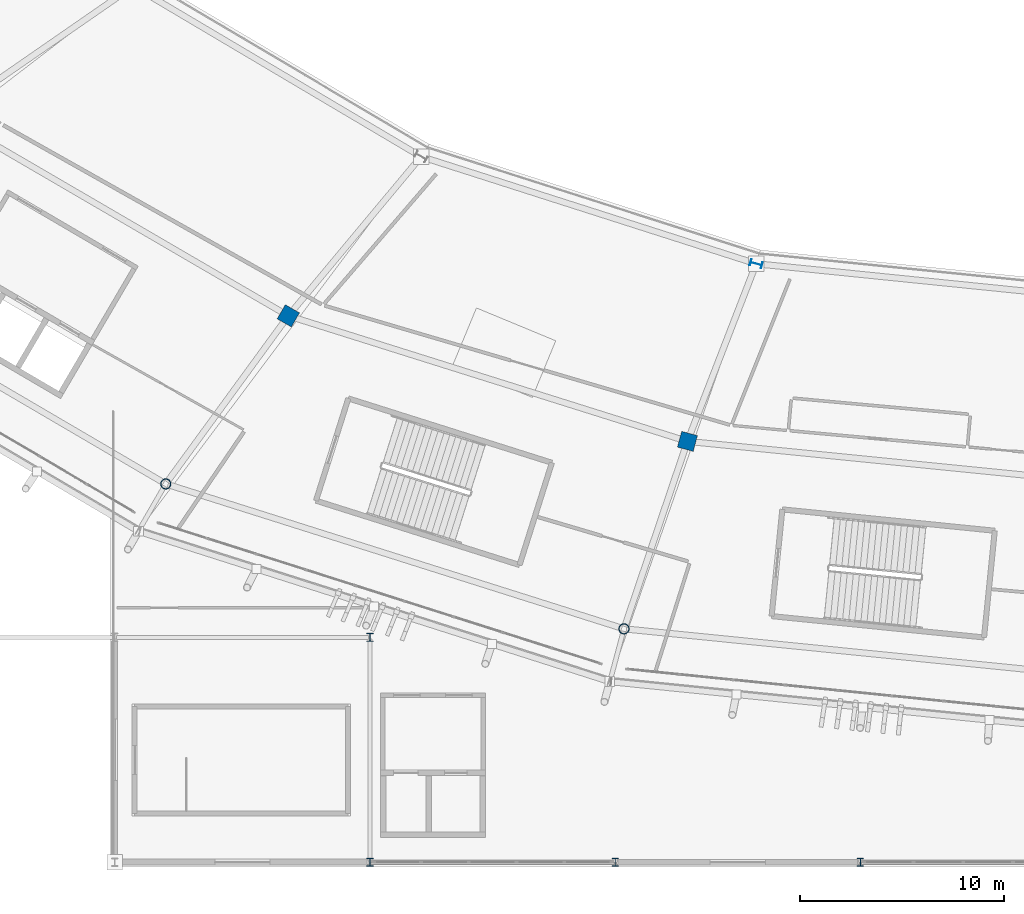
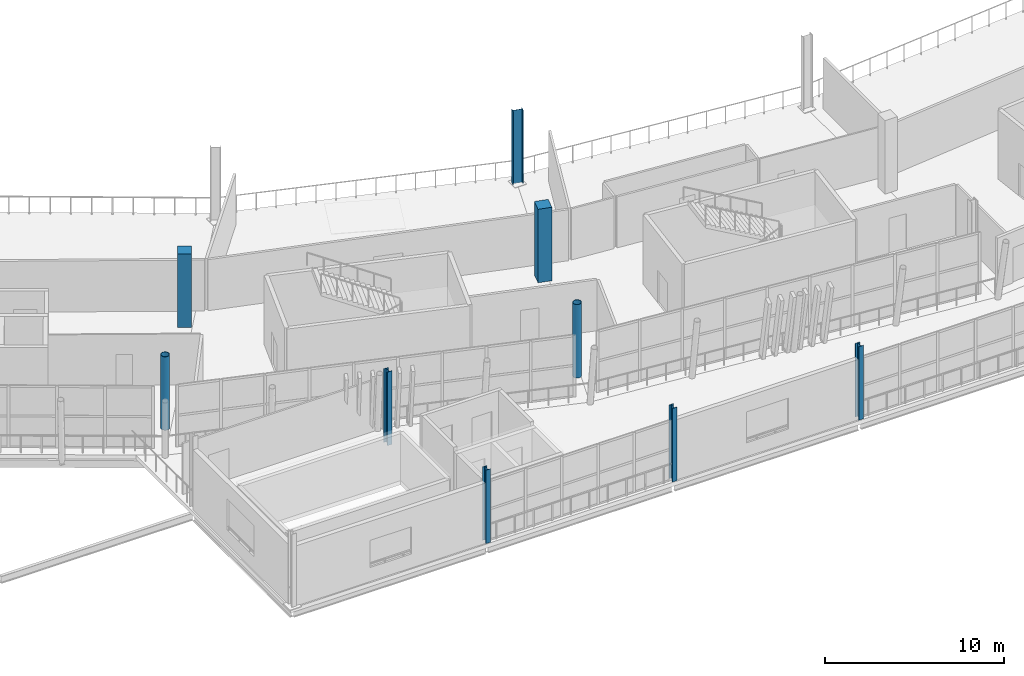
# One storey, part 4 of 179: 9 columns.
"""IFC4 building model written with IfcOpenShell, lengths in metres."""

from ifc_helpers import new_model, si_unit, direction, frame, origin, origin_2d, place, context, subcontext, project, spatial, rectangle, hollow_circle, i_section, extrude, material, material_profile, profile_set, type_object, element, save


model = new_model("IFC4")

# Units and contexts
model_context = context("Model", 3, precision=1e-05, world=origin(), true_north=direction((0.0, 1.0)))
body_context = subcontext(model_context, "Body", "Model", "MODEL_VIEW")
ifc_project = project(units=[si_unit("LENGTHUNIT", "METRE"), si_unit("AREAUNIT", "SQUARE_METRE"), si_unit("VOLUMEUNIT", "CUBIC_METRE"), si_unit("PLANEANGLEUNIT", "RADIAN"), si_unit("MASSUNIT", "GRAM", prefix="KILO")], contexts=[model_context])

# Site, building, storey
site_placement = place(None, origin())
site = spatial("IfcSite", under=ifc_project, at=site_placement, CompositionType="ELEMENT")
building_placement = place(site_placement, origin())
building = spatial("IfcBuilding", under=site, at=building_placement, Name="Zlatoyarsky Gate Stadium", CompositionType="ELEMENT")
storey_placement = place(building_placement, frame((0.0, 0.0, 10.60009765625)))
storey = spatial("IfcBuildingStorey", under=building, at=storey_placement, Name="L02", CompositionType="ELEMENT", Elevation=10.60009765625)

# Columns
ifc_material_1 = material(Name="Concrete C40/50", Category="concrete")
ifc_material_profile_1 = material_profile(ifc_material_1, rectangle(XDim=0.800048828125, YDim=0.800048828125, at=origin_2d()), Name="RC COL 800X800")
ifc_profile_set_1 = profile_set([ifc_material_profile_1], Name="Concrete C40/50")
column_type_1 = type_object("IfcColumnType", Name="CONCRETE COLUMN 800X800", PredefinedType="COLUMN", material=ifc_profile_set_1)
for number, where, z_axis, x_axis, name in (
    (1, (70.5, 26.739501953125, 0.0), (0.0, 0.0, 1.0), (-0.5, -0.866025403784, 0.0), "Column RC-C80 RB-16 on L02"),
    (2, (90.03564453125, 20.595703125, 0.0), (0.0, 0.0, 1.0), (-0.258819045103, -0.965925826289, 0.0), "Column RC-C80 RB-17 on L02"),
):
    element("IfcColumn", number, at=place(storey_placement, frame(where, z_axis=z_axis, x_axis=x_axis)), inside=storey, type_object=column_type_1, Name=name, PredefinedType="COLUMN", context=body_context, shape_type="SweptSolid", body=[
        extrude(rectangle(XDim=0.800048828125, YDim=0.800048828125, at=origin_2d()), origin(), (0.0, 0.0, 1.0), 5.0),
    ])
ifc_material_2 = material(Name="Steel S355", Category="steel")
ifc_material_profile_2 = material_profile(ifc_material_2, i_section(OverallWidth=0.300048828125, OverallDepth=0.39990234375, WebThickness=0.013427734375, FlangeThickness=0.02392578125, FilletRadius=0.027099609375, at=origin_2d()), Name="HEB 400")
ifc_profile_set_2 = profile_set([ifc_material_profile_2], Name="Steel S355")
column_type_2 = type_object("IfcColumnType", Name="STEEL COLUMN HEB 400", PredefinedType="COLUMN", material=ifc_profile_set_2)
for number, where, z_axis, x_axis, name in (
    (3, (74.5, 0.0, 0.0), (0.0, 0.0, 1.0), (1.0, 0.0, 0.0), "Column ST-C400 WG-7-A on L02"),
    (4, (74.5, 11.0, 0.0), (0.0, 0.0, 1.0), (1.0, 0.0, 0.0), "Column ST-C400 WG-7-B on L02"),
    (5, (86.5, 0.0, 0.0), (0.0, 0.0, 1.0), (1.0, 0.0, 0.0), "Column ST-C400 WG-8-A on L02"),
    (6, (98.5, 0.0, 0.0), (0.0, 0.0, 1.0), (1.0, 0.0, 0.0), "Column ST-C400 WG-9-A on L02"),
):
    element("IfcColumn", number, at=place(storey_placement, frame(where, z_axis=z_axis, x_axis=x_axis)), inside=storey, type_object=column_type_2, Name=name, PredefinedType="COLUMN", context=body_context, shape_type="SweptSolid", body=[
        extrude(i_section(OverallWidth=0.300048828125, OverallDepth=0.39990234375, WebThickness=0.013427734375, FlangeThickness=0.02392578125, FilletRadius=0.027099609375, at=origin_2d()), origin(), (0.0, 0.0, 1.0), 5.0),
    ])
ifc_material_profile_3 = material_profile(ifc_material_2, i_section(OverallWidth=0.300048828125, OverallDepth=0.60009765625, WebThickness=0.015380859375, FlangeThickness=0.030029296875, FilletRadius=0.027099609375, at=origin_2d()), Name="HEB 600")
ifc_profile_set_3 = profile_set([ifc_material_profile_3], Name="Steel S355")
column_type_3 = type_object("IfcColumnType", Name="STEEL COLUMN HEB 600", PredefinedType="COLUMN", material=ifc_profile_set_3)
column_placement = place(storey_placement, frame((93.400390625, 29.288818359375, 0.0), z_axis=(0.0, 0.0, 1.0), x_axis=(-0.258819045103, -0.965925826289, 0.0)))
element("IfcColumn", 7, at=column_placement, inside=storey, type_object=column_type_3, Name="Column ST-C600 RA-17 on L02", PredefinedType="COLUMN", context=body_context, shape_type="SweptSolid", body=[
    extrude(i_section(OverallWidth=0.300048828125, OverallDepth=0.60009765625, WebThickness=0.015380859375, FlangeThickness=0.030029296875, FilletRadius=0.027099609375, at=origin_2d()), origin(), (0.0, 0.0, 1.0), 5.0),
])
ifc_material_profile_4 = material_profile(ifc_material_2, hollow_circle(Radius=0.25390625, WallThickness=0.02490234375, at=origin_2d()), Name="CHS 508X25")
ifc_profile_set_4 = profile_set([ifc_material_profile_4], Name="Steel S355")
column_type_4 = type_object("IfcColumnType", Name="STEEL TUBULAR COLUMN CHS 508X25", PredefinedType="COLUMN", material=ifc_profile_set_4)
for number, where, z_axis, x_axis, name in (
    (8, (64.5, 18.51220703125, 0.0), (0.0, 0.0, 1.0), (-0.5, -0.866025403784, 0.0), "Column ST-C508 RC-16 on L02"),
    (9, (86.9296875, 11.419189453125, 0.0), (0.0, 0.0, 1.0), (-0.258819045103, -0.965925826289, 0.0), "Column ST-C508 RC-17 on L02"),
):
    element("IfcColumn", number, at=place(storey_placement, frame(where, z_axis=z_axis, x_axis=x_axis)), inside=storey, type_object=column_type_4, Name=name, PredefinedType="COLUMN", context=body_context, shape_type="SweptSolid", body=[
        extrude(hollow_circle(Radius=0.25390625, WallThickness=0.02490234375, at=origin_2d()), origin(), (0.0, 0.0, 1.0), 5.0),
    ])

save(model, "model.ifc")
